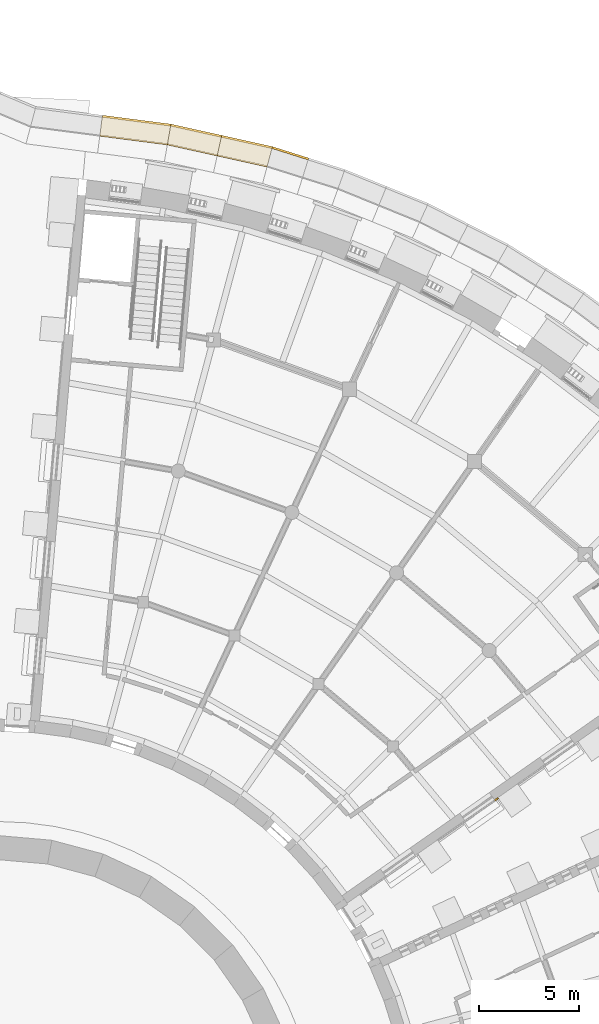
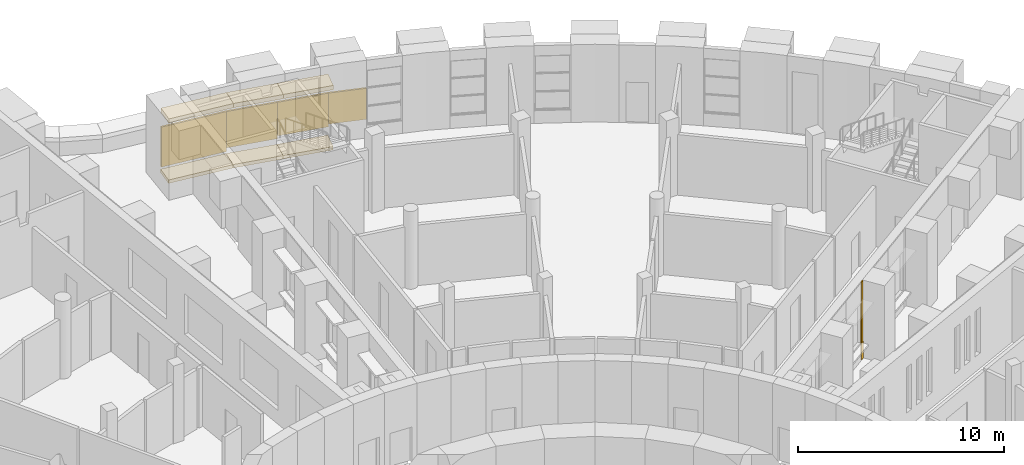
# One storey, part 81 of 85: 12 coverings.
"""IFC4 building model written with IfcOpenShell, lengths in metres."""

from ifc_helpers import new_model, si_unit, direction, frame, origin, place, context, subcontext, project, spatial, polyline, outline, extrude, material, layer, layer_set, type_object, element, save


model = new_model("IFC4")

# Units and contexts
model_context = context("Model", 3, precision=1e-05, world=origin(), true_north=direction((0.0, 1.0)))
body_context = subcontext(model_context, "Body", "Model", "MODEL_VIEW")
ifc_project = project(units=[si_unit("LENGTHUNIT", "METRE"), si_unit("AREAUNIT", "SQUARE_METRE"), si_unit("VOLUMEUNIT", "CUBIC_METRE"), si_unit("PLANEANGLEUNIT", "RADIAN"), si_unit("MASSUNIT", "GRAM", prefix="KILO")], contexts=[model_context])

# Site, building, storey
site_placement = place(None, origin())
site = spatial("IfcSite", under=ifc_project, at=site_placement, CompositionType="ELEMENT")
building_placement = place(site_placement, origin())
building = spatial("IfcBuilding", under=site, at=building_placement, Name="Volute Hill Aquarium", CompositionType="ELEMENT")
storey_placement = place(building_placement, origin())
storey = spatial("IfcBuildingStorey", under=building, at=storey_placement, Name="L01", CompositionType="ELEMENT", Elevation=0.0)

# Coverings
ifc_material_1 = material(Name="Blue limestone", Category="masonry")
ifc_layer_1 = layer(ifc_material_1, 0.06005859375)
ifc_layer_set_1 = layer_set([ifc_layer_1], Name="End wall plinth blue limestone 60")
covering_type_1 = type_object("IfcCoveringType", Name="End wall plinth blue limestone 60", PredefinedType="CLADDING", material=ifc_layer_set_1)
covering_1_placement = place(storey_placement, frame((24.71337890625, 16.92578125, 0.0), z_axis=(0.57428210862, -0.81865747399, 0.0), x_axis=(0.81865747399, 0.57428210862, 0.0)))
element("IfcCovering", 1, at=covering_1_placement, inside=storey, type_object=covering_type_1, Name="End wall plinth EWL S5A L01 2", PredefinedType="CLADDING", context=body_context, shape_type="SweptSolid", body=[
    extrude(outline(polyline([(0.0, 0.0), (0.19980788540634886, 0.0), (0.19980788540634886, 1.0), (0.0, 1.0), (0.0, 0.0)])), origin(), (0.0, 0.0, -1.0), 0.06005859375),
])
ifc_material_2 = material(Name="Precast concrete C40/50", Category="concrete")
ifc_layer_2 = layer(ifc_material_2, 0.050048828125)
ifc_layer_set_2 = layer_set([ifc_layer_2], Name="End wall precast infill panel C40/50 50")
covering_type_2 = type_object("IfcCoveringType", Name="End wall precast infill panel C40/50 50", PredefinedType="CLADDING", material=ifc_layer_set_2)
covering_2_placement = place(storey_placement, frame((24.70751953125, 16.93408203125, 1.0), z_axis=(0.573462344363, -0.819231920519, 0.0), x_axis=(0.819231920519, 0.573462344363, 0.0)))
element("IfcCovering", 2, at=covering_2_placement, inside=storey, type_object=covering_type_2, Name="End wall panel EWP S5A L01 2", PredefinedType="CLADDING", context=body_context, shape_type="SweptSolid", body=[
    extrude(outline(polyline([(0.0, 0.0), (0.19966777984720657, 0.0), (0.19966777984720657, 3.60009765625), (0.0, 3.60009765625), (0.0, 0.0)])), origin(), (0.0, 0.0, -1.0), 0.050048828125),
])
ifc_material_3 = material(Name="Precast concrete C40/50", Category="concrete")
ifc_layer_3 = layer(ifc_material_3, 0.25)
ifc_layer_set_3 = layer_set([ifc_layer_3], Name="Plinth coping precast concrete C40/50 1000")
covering_type_3 = type_object("IfcCoveringType", Name="Plinth coping precast concrete C40/50 1000", PredefinedType="CLADDING", material=ifc_layer_set_3)
covering_3_placement = place(storey_placement, frame((0.0, 0.0, 0.85009765625)))
element("IfcCovering", 3, at=covering_3_placement, inside=storey, type_object=covering_type_3, Name="cp/E66UP/L01/0", PredefinedType="CLADDING", context=body_context, shape_type="SweptSolid", body=[
    extrude(outline(polyline([(13.611328125, 49.449951171875), (11.08740234375, 50.009521484375), (10.870849609375, 49.033203125), (13.352294921875, 48.483154296875), (13.352294921875, 48.483154296875), (13.611328125, 49.449951171875)])), origin(), (0.0, 0.0, 1.0), 0.25),
])
covering_4_placement = place(storey_placement, frame((0.0, 0.0, 0.85009765625)))
element("IfcCovering", 4, at=covering_4_placement, inside=storey, type_object=covering_type_3, Name="cp/E66UP/L01/1", PredefinedType="CLADDING", context=body_context, shape_type="SweptSolid", body=[
    extrude(outline(polyline([(11.08740234375, 50.009521484375), (8.562744140625, 50.569091796875), (8.39013671875, 49.583251953125), (8.39013671875, 49.583251953125), (10.870849609375, 49.033203125), (11.08740234375, 50.009521484375)])), origin(), (0.0, 0.0, 1.0), 0.25),
])
covering_5_placement = place(storey_placement, frame((0.0, 0.0, 0.85009765625)))
element("IfcCovering", 5, at=covering_5_placement, inside=storey, type_object=covering_type_3, Name="cp/E67UP/L01/0", PredefinedType="CLADDING", context=body_context, shape_type="SweptSolid", body=[
    extrude(outline(polyline([(8.562744140625, 50.569091796875), (5.1552734375, 51.010009765625), (5.027099609375, 50.018310546875), (8.39013671875, 49.583251953125), (8.562744140625, 50.569091796875), (8.562744140625, 50.569091796875)])), origin(), (0.0, 0.0, 1.0), 0.25),
])
ifc_material_4 = material(Name="Precast concrete C40/50", Category="concrete")
ifc_layer_4 = layer(ifc_material_4, 0.199951171875)
ifc_layer_set_4 = layer_set([ifc_layer_4], Name="Plinth grade course precast concrete C40/50 1100")
covering_type_4 = type_object("IfcCoveringType", Name="Plinth grade course precast concrete C40/50 1100", PredefinedType="CLADDING", material=ifc_layer_set_4)
covering_6_placement = place(storey_placement, frame((0.0, 0.0, -2.75)))
element("IfcCovering", 6, at=covering_6_placement, inside=storey, type_object=covering_type_4, Name="gc/E66UP/L01/0", PredefinedType="CLADDING", context=body_context, shape_type="SweptSolid", body=[
    extrude(outline(polyline([(13.624267578125, 49.498291015625), (11.09814453125, 50.058349609375), (10.8818359375, 49.08203125), (13.365234375, 48.531494140625), (13.624267578125, 49.498291015625), (13.624267578125, 49.498291015625)])), origin(), (0.0, 0.0, 1.0), 0.199951171875),
])
covering_7_placement = place(storey_placement, frame((0.0, 0.0, -2.75)))
element("IfcCovering", 7, at=covering_7_placement, inside=storey, type_object=covering_type_4, Name="gc/E66UP/L01/1", PredefinedType="CLADDING", context=body_context, shape_type="SweptSolid", body=[
    extrude(outline(polyline([(11.09814453125, 50.058349609375), (8.5712890625, 50.618408203125), (8.398681640625, 49.632568359375), (10.8818359375, 49.08203125), (11.09814453125, 50.058349609375)])), origin(), (0.0, 0.0, 1.0), 0.199951171875),
])
covering_8_placement = place(storey_placement, frame((0.0, 0.0, -2.75)))
element("IfcCovering", 8, at=covering_8_placement, inside=storey, type_object=covering_type_4, Name="gc/E67UP/L01/0", PredefinedType="CLADDING", context=body_context, shape_type="SweptSolid", body=[
    extrude(outline(polyline([(8.5712890625, 50.618408203125), (5.16162109375, 51.0595703125), (5.033447265625, 50.06787109375), (8.398681640625, 49.632568359375), (8.398681640625, 49.632568359375), (8.5712890625, 50.618408203125), (8.5712890625, 50.618408203125)])), origin(), (0.0, 0.0, 1.0), 0.199951171875),
])
ifc_material_5 = material(Name="Precast concrete C40/50", Category="concrete")
ifc_layer_5 = layer(ifc_material_5, 0.10009765625)
ifc_layer_set_5 = layer_set([ifc_layer_5], Name="Retained ground face precast concrete C40/50 100")
covering_type_5 = type_object("IfcCoveringType", Name="Retained ground face precast concrete C40/50 100", PredefinedType="CLADDING", material=ifc_layer_set_5)
covering_9_placement = place(storey_placement, frame((0.0, 0.0, -1.8369140625)))
element("IfcCovering", 9, at=covering_9_placement, inside=storey, type_object=covering_type_5, Name="tg/E65UP/L01/1", PredefinedType="CLADDING", context=body_context, shape_type="SweptSolid", body=[
    extrude(outline(polyline([(15.4287109375, 48.929443359375), (13.624267578125, 49.498291015625), (13.598388671875, 49.401611328125), (13.598388671875, 49.401611328125), (15.398681640625, 48.833984375), (15.4287109375, 48.929443359375)])), origin(), (0.0, 0.0, 1.0), 1.8369140625),
])
covering_10_placement = place(storey_placement, frame((0.0, 0.0, -1.9951171875)))
element("IfcCovering", 10, at=covering_10_placement, inside=storey, type_object=covering_type_5, Name="tg/E66UP/L01/0", PredefinedType="CLADDING", context=body_context, shape_type="SweptSolid", body=[
    extrude(outline(polyline([(13.624267578125, 49.498291015625), (11.09814453125, 50.058349609375), (11.076416015625, 49.960693359375), (13.598388671875, 49.401611328125), (13.624267578125, 49.498291015625), (13.624267578125, 49.498291015625)])), origin(), (0.0, 0.0, 1.0), 1.9951171875),
])
covering_11_placement = place(storey_placement, frame((0.0, 0.0, -2.1533203125)))
element("IfcCovering", 11, at=covering_11_placement, inside=storey, type_object=covering_type_5, Name="tg/E66UP/L01/1", PredefinedType="CLADDING", context=body_context, shape_type="SweptSolid", body=[
    extrude(outline(polyline([(11.09814453125, 50.058349609375), (8.5712890625, 50.618408203125), (8.55419921875, 50.519775390625), (11.076416015625, 49.960693359375), (11.09814453125, 50.058349609375)])), origin(), (0.0, 0.0, 1.0), 2.1533203125),
])
covering_12_placement = place(storey_placement, frame((0.0, 0.0, -2.3671875)))
element("IfcCovering", 12, at=covering_12_placement, inside=storey, type_object=covering_type_5, Name="tg/E67UP/L01/0", PredefinedType="CLADDING", context=body_context, shape_type="SweptSolid", body=[
    extrude(outline(polyline([(8.5712890625, 50.618408203125), (5.16162109375, 51.0595703125), (5.14892578125, 50.96044921875), (8.55419921875, 50.519775390625), (8.55419921875, 50.519775390625), (8.5712890625, 50.618408203125), (8.5712890625, 50.618408203125)])), origin(), (0.0, 0.0, 1.0), 2.3671875),
])

save(model, "model.ifc")
